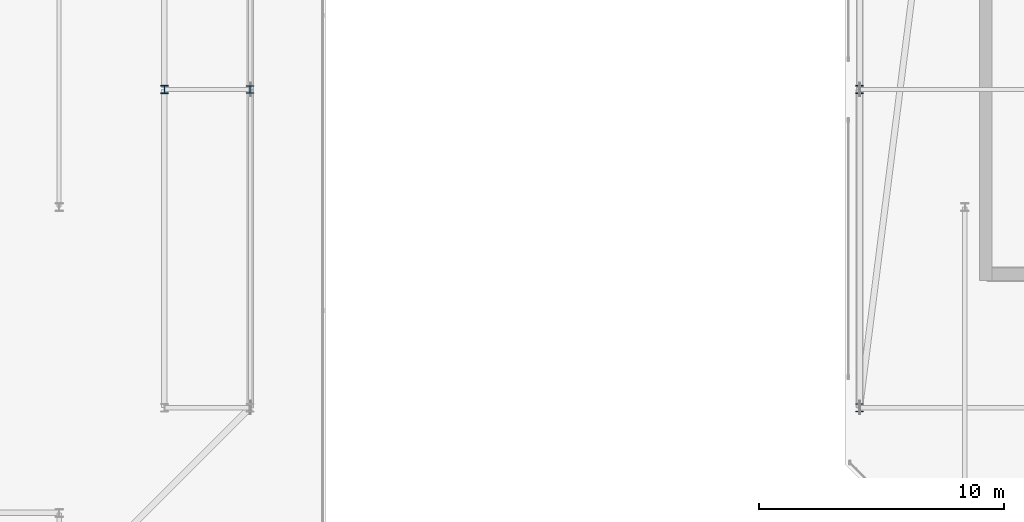
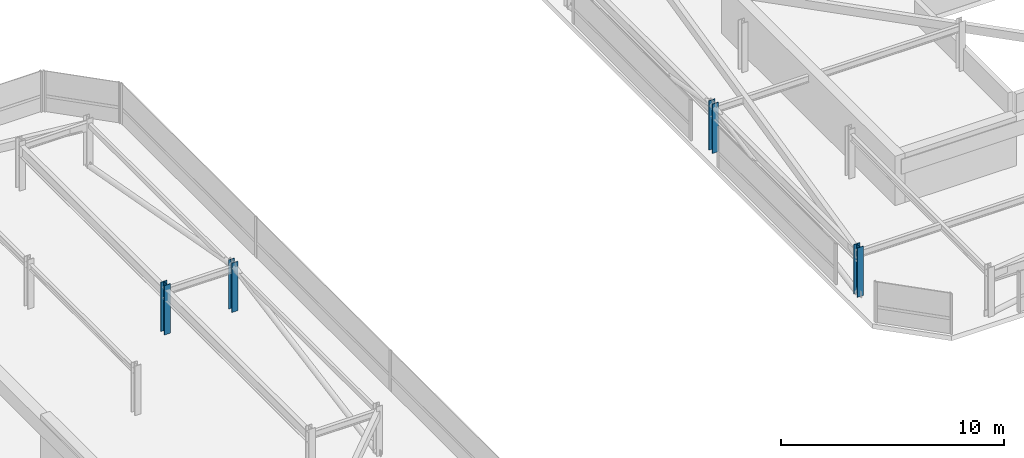
# One storey, part 2 of 42: 4 columns.
"""IFC4 building model written with IfcOpenShell, lengths in metres."""

from ifc_helpers import new_model, si_unit, direction, frame, origin, origin_2d, place, context, subcontext, project, spatial, i_section, extrude, material, material_profile, profile_set, type_object, element, save


model = new_model("IFC4")

# Units and contexts
model_context = context("Model", 3, precision=1e-05, world=origin(), true_north=direction((0.0, 1.0)))
body_context = subcontext(model_context, "Body", "Model", "MODEL_VIEW")
ifc_project = project(units=[si_unit("LENGTHUNIT", "METRE"), si_unit("AREAUNIT", "SQUARE_METRE"), si_unit("VOLUMEUNIT", "CUBIC_METRE"), si_unit("PLANEANGLEUNIT", "RADIAN"), si_unit("MASSUNIT", "GRAM", prefix="KILO")], contexts=[model_context])

# Site, building, storey
site_placement = place(None, origin())
site = spatial("IfcSite", under=ifc_project, at=site_placement, CompositionType="ELEMENT")
building_placement = place(site_placement, origin())
building = spatial("IfcBuilding", under=site, at=building_placement, Name="Thornwick Lancets Civic Towers", CompositionType="ELEMENT")
storey_placement = place(building_placement, frame((0.0, 0.0, 289.5)))
storey = spatial("IfcBuildingStorey", under=building, at=storey_placement, Name="C04", CompositionType="ELEMENT", Elevation=289.5)

# Columns
ifc_material = material(Name="Steel S355JR", Category="steel")
ifc_material_profile_1 = material_profile(ifc_material, i_section(OverallWidth=0.30908203125, OverallDepth=0.320556640625, WebThickness=0.013916015625, FlangeThickness=0.021728515625, FilletRadius=0.01513671875, at=origin_2d()), Name="UKC 305x305x137")
ifc_profile_set_1 = profile_set([ifc_material_profile_1], Name="Steel S355JR")
column_type_1 = type_object("IfcColumnType", Name="COL_UKC_137", PredefinedType="COLUMN", material=ifc_profile_set_1)
column_placement = place(storey_placement, frame((46.300048828125, 27.0, 0.0), z_axis=(0.0, 0.0, 1.0), x_axis=(1.0, 0.0, 0.0)))
element("IfcColumn", 1, at=column_placement, inside=storey, type_object=column_type_1, Name="C04 Block Perimeter Column A05", PredefinedType="COLUMN", context=body_context, shape_type="SweptSolid", body=[
    extrude(i_section(OverallWidth=0.30908203125, OverallDepth=0.320556640625, WebThickness=0.013916015625, FlangeThickness=0.021728515625, FilletRadius=0.01513671875, at=origin_2d()), origin(), (0.0, 0.0, 1.0), 2.699951171875),
])
ifc_material_profile_2 = material_profile(ifc_material, i_section(OverallWidth=0.314453125, OverallDepth=0.33984375, WebThickness=0.01904296875, FlangeThickness=0.031494140625, FilletRadius=0.01513671875, at=origin_2d()), Name="UKC 305x305x198")
ifc_profile_set_2 = profile_set([ifc_material_profile_2], Name="Steel S355JR")
column_type_2 = type_object("IfcColumnType", Name="COL_UKC_198", PredefinedType="COLUMN", material=ifc_profile_set_2)
for number, where, z_axis, x_axis, name in (
    (2, (42.800048828125, 27.0, 0.0), (0.0, 0.0, 1.0), (1.0, 0.0, 0.0), "C04 Spine Mega-Column A05"),
    (3, (71.199951171875, 14.0, 0.0), (0.0, 0.0, 1.0), (1.0, 0.0, 0.0), "C04 Spine Mega-Column B07"),
    (4, (71.199951171875, 27.0, 0.0), (0.0, 0.0, 1.0), (1.0, 0.0, 0.0), "C04 Spine Mega-Column B08"),
):
    element("IfcColumn", number, at=place(storey_placement, frame(where, z_axis=z_axis, x_axis=x_axis)), inside=storey, type_object=column_type_2, Name=name, PredefinedType="COLUMN", context=body_context, shape_type="SweptSolid", body=[
        extrude(i_section(OverallWidth=0.314453125, OverallDepth=0.33984375, WebThickness=0.01904296875, FlangeThickness=0.031494140625, FilletRadius=0.01513671875, at=origin_2d()), origin(), (0.0, 0.0, 1.0), 2.699951171875),
    ])

save(model, "model.ifc")
